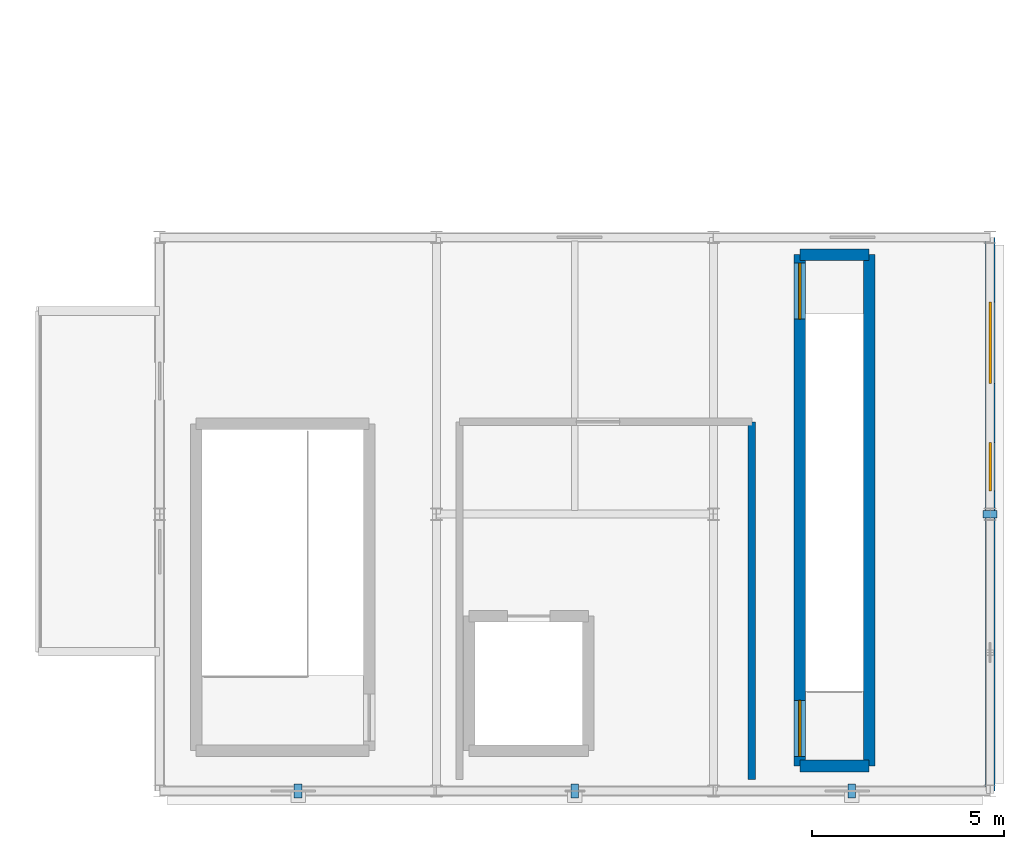
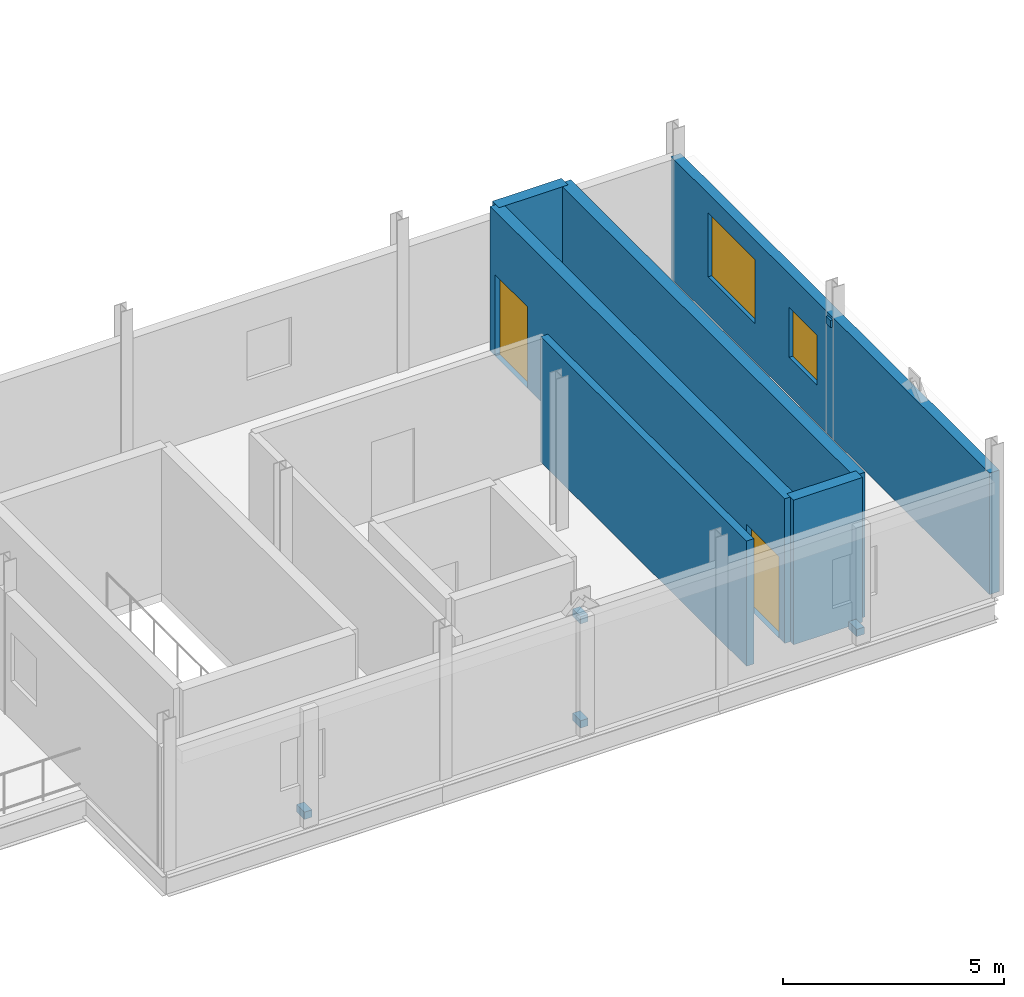
# One storey, part 25 of 28: 6 walls, 5 discrete accessories, 2 doors, 2 windows, 4 openings.
"""IFC4 building model written with IfcOpenShell, lengths in metres."""

from ifc_helpers import new_model, si_unit, direction, frame, frame_2d, origin, origin_2d, place, context, subcontext, project, spatial, rectangle, extrude, material, layer, layer_set, type_object, element, fill, save


model = new_model("IFC4")

# Units and contexts
model_context = context("Model", 3, precision=1e-05, world=origin(), true_north=direction((0.0, 1.0)))
body_context = subcontext(model_context, "Body", "Model", "MODEL_VIEW")
ifc_project = project(units=[si_unit("LENGTHUNIT", "METRE"), si_unit("AREAUNIT", "SQUARE_METRE"), si_unit("VOLUMEUNIT", "CUBIC_METRE"), si_unit("PLANEANGLEUNIT", "RADIAN"), si_unit("MASSUNIT", "GRAM", prefix="KILO")], contexts=[model_context])

# Site, building, storey
site_placement = place(None, origin())
site = spatial("IfcSite", under=ifc_project, at=site_placement, CompositionType="ELEMENT")
building_placement = place(site_placement, origin())
building = spatial("IfcBuilding", under=site, at=building_placement, Name="Yarey Park Central Fire Station", CompositionType="ELEMENT")
storey_placement = place(building_placement, frame((0.0, 0.0, 22.199951171875)))
storey = spatial("IfcBuildingStorey", under=building, at=storey_placement, Name="L06", CompositionType="ELEMENT", Elevation=22.199951171875)

# Wall, openings, windows
ifc_material_1 = material(Name="Concrete C40/50", Category="concrete")
ifc_layer_1 = layer(ifc_material_1, 0.2548828125)
ifc_layer_set_1 = layer_set([ifc_layer_1], Name="Concrete C40/50")
wall_type_1 = type_object("IfcWallType", Name="ENV_WALL_RC255", PredefinedType="STANDARD", material=ifc_layer_set_1)
wall_1_placement = place(storey_placement, frame((165.60009765625, 0.0, 0.0), z_axis=(0.0, 0.0, 1.0), x_axis=(0.0, 1.0, 0.0)))
wall_1 = element("IfcWall", 1, at=wall_1_placement, inside=storey, type_object=wall_type_1, Name="EW_L06_DT_E", PredefinedType="STANDARD", context=body_context, shape_type="SweptSolid", body=[
    extrude(rectangle(XDim=14.39990234375, YDim=0.2548828125, at=frame_2d((7.199951171875, 0.0))), origin(), (0.0, 0.0, 1.0), 3.35009765625),
])
opening_1_placement = place(wall_1_placement, frame((7.800048828125, 0.0, 1.050048828125)))
opening_1 = element("IfcOpeningElement", 2, at=opening_1_placement, cuts=wall_1, Name="Opening WN-DT126", PredefinedType="OPENING", context=body_context, shape_type="SweptSolid", body=[
    extrude(rectangle(XDim=1.260009765625, YDim=1.3798828125, at=frame_2d((0.6298828125, 0.68994140625))), frame((0.0, 0.137451171875, 0.0), z_axis=(0.0, -1.0, 0.0), x_axis=(1.0, 0.0, 0.0)), (0.0, 0.0, 1.0), 0.27490234375),
])
opening_2_placement = place(wall_1_placement, frame((10.60009765625, 0.0, 1.050048828125)))
opening_2 = element("IfcOpeningElement", 3, at=opening_2_placement, cuts=wall_1, Name="Opening WN-P212", PredefinedType="OPENING", context=body_context, shape_type="SweptSolid", body=[
    extrude(rectangle(XDim=2.1201171875, YDim=1.760009765625, at=frame_2d((1.06005859375, 0.8798828125))), frame((0.0, 0.137451171875, 0.0), z_axis=(0.0, -1.0, 0.0), x_axis=(1.0, 0.0, 0.0)), (0.0, 0.0, 1.0), 0.27490234375),
])
ifc_material_2 = material(Name="Laminated Hurricane Low-E Glass", Category="glass")
window_type_1 = type_object("IfcWindowType", Name="ENV_WIN_DT_126", PartitioningType="SINGLE_PANEL", PredefinedType="WINDOW", material=ifc_material_2)
window_1_placement = place(opening_1_placement, origin())
window_1 = element("IfcWindow", 4, at=window_1_placement, inside=storey, type_object=window_type_1, Name="WIN_L06_DTE_1", OverallHeight=1.3798828125, OverallWidth=1.260009765625, PartitioningType="SINGLE_PANEL", PredefinedType="WINDOW", context=body_context, shape_type="SweptSolid", body=[
    extrude(rectangle(XDim=1.260009765625, YDim=1.3798828125, at=frame_2d((0.6298828125, 0.68994140625))), frame((0.0, 0.030029296875, 0.0), z_axis=(0.0, -1.0, 0.0), x_axis=(1.0, 0.0, 0.0)), (0.0, 0.0, 1.0), 0.06005859375),
])
fill(opening_1, window_1)
window_type_2 = type_object("IfcWindowType", Name="ENV_WIN_PUNCH_212", PartitioningType="SINGLE_PANEL", PredefinedType="WINDOW", material=ifc_material_2)
window_2_placement = place(opening_2_placement, origin())
window_2 = element("IfcWindow", 5, at=window_2_placement, inside=storey, type_object=window_type_2, Name="WIN_L06_DTE_2", OverallHeight=1.760009765625, OverallWidth=2.1201171875, PartitioningType="SINGLE_PANEL", PredefinedType="WINDOW", context=body_context, shape_type="SweptSolid", body=[
    extrude(rectangle(XDim=2.1201171875, YDim=1.760009765625, at=frame_2d((1.06005859375, 0.8798828125))), frame((0.0, 0.030029296875, 0.0), z_axis=(0.0, -1.0, 0.0), x_axis=(1.0, 0.0, 0.0)), (0.0, 0.0, 1.0), 0.06005859375),
])
fill(opening_2, window_2)

# Walls
ifc_layer_2 = layer(ifc_material_1, 0.27001953125)
ifc_layer_set_2 = layer_set([ifc_layer_2], Name="Concrete C40/50")
wall_type_2 = type_object("IfcWallType", Name="INT_CORE_RC270", PredefinedType="SHEAR", material=ifc_layer_set_2)
for number, where, z_axis, x_axis, name in (
    (6, (160.64990234375, 0.64990234375, 0.0), (0.0, 0.0, 1.0), (1.0, 0.0, 0.0), "CWALL_C6_L06_S"),
    (7, (162.449951171875, 13.949951171875, 0.0), (0.0, 0.0, 1.0), (-1.0, 0.0, 0.0), "CWALL_C6_L06_N"),
):
    element("IfcWall", number, at=place(storey_placement, frame(where, z_axis=z_axis, x_axis=x_axis)), inside=storey, type_object=wall_type_2, Name=name, PredefinedType="SHEAR", context=body_context, shape_type="SweptSolid", body=[
        extrude(rectangle(XDim=1.800048828125, YDim=0.300048828125, at=frame_2d((0.89990234375, 0.0))), origin(), (0.0, 0.0, 1.0), 3.989990234375),
    ])

# Wall, openings, doors
wall_2_placement = place(storey_placement, frame((160.64990234375, 13.949951171875, 0.0), z_axis=(0.0, 0.0, 1.0), x_axis=(0.0, -1.0, 0.0)))
wall_2 = element("IfcWall", 8, at=wall_2_placement, inside=storey, type_object=wall_type_2, Name="CWALL_C6_L06_W", PredefinedType="SHEAR", context=body_context, shape_type="SweptSolid", body=[
    extrude(rectangle(XDim=13.300048828125, YDim=0.300048828125, at=frame_2d((6.64990234375, 0.0))), origin(), (0.0, 0.0, 1.0), 3.989990234375),
])
opening_3_placement = place(wall_2_placement, frame((11.590087890625, 0.0, 0.0)))
opening_3 = element("IfcOpeningElement", 9, at=opening_3_placement, cuts=wall_2, Name="Opening SD-146", PredefinedType="OPENING", context=body_context, shape_type="SweptSolid", body=[
    extrude(rectangle(XDim=1.4599609375, YDim=2.239990234375, at=frame_2d((0.72998046875, 1.1201171875))), frame((0.0, 0.159912109375, 0.0), z_axis=(0.0, -1.0, 0.0), x_axis=(1.0, 0.0, 0.0)), (0.0, 0.0, 1.0), 0.320068359375),
])
opening_4_placement = place(wall_2_placement, frame((0.219970703125, 0.0, 0.0)))
opening_4 = element("IfcOpeningElement", 10, at=opening_4_placement, cuts=wall_2, Name="Opening SD-146", PredefinedType="OPENING", context=body_context, shape_type="SweptSolid", body=[
    extrude(rectangle(XDim=1.4599609375, YDim=2.239990234375, at=frame_2d((0.72998046875, 1.1201171875))), frame((0.0, 0.159912109375, 0.0), z_axis=(0.0, -1.0, 0.0), x_axis=(1.0, 0.0, 0.0)), (0.0, 0.0, 1.0), 0.320068359375),
])
ifc_material_3 = material(Name="Galvanized Hollow Metal Door", Category="metal")
door_type = type_object("IfcDoorType", Name="DR_STAIR_1460", OperationType="NOTDEFINED", PredefinedType="DOOR", material=ifc_material_3)
door_1_placement = place(opening_3_placement, origin())
door_1 = element("IfcDoor", 11, at=door_1_placement, inside=storey, type_object=door_type, Name="DOOR_STAIR_C6_L06", OperationType="SINGLE_SWING_RIGHT", OverallHeight=2.239990234375, OverallWidth=1.4599609375, PredefinedType="DOOR", context=body_context, shape_type="SweptSolid", body=[
    extrude(rectangle(XDim=1.4599609375, YDim=2.239990234375, at=frame_2d((0.72998046875, 1.1201171875))), frame((0.0, 0.02490234375, 0.0), z_axis=(0.0, -1.0, 0.0), x_axis=(1.0, 0.0, 0.0)), (0.0, 0.0, 1.0), 0.050048828125),
])
fill(opening_3, door_1)
door_2_placement = place(opening_4_placement, origin())
door_2 = element("IfcDoor", 12, at=door_2_placement, inside=storey, type_object=door_type, Name="DOOR_STAIR_C6_L06_ARR", OperationType="SINGLE_SWING_LEFT", OverallHeight=2.239990234375, OverallWidth=1.4599609375, PredefinedType="DOOR", context=body_context, shape_type="SweptSolid", body=[
    extrude(rectangle(XDim=1.4599609375, YDim=2.239990234375, at=frame_2d((0.72998046875, 1.1201171875))), frame((0.0, 0.02490234375, 0.0), z_axis=(0.0, -1.0, 0.0), x_axis=(1.0, 0.0, 0.0)), (0.0, 0.0, 1.0), 0.050048828125),
])
fill(opening_4, door_2)

# Walls
wall_3_placement = place(storey_placement, frame((162.449951171875, 0.64990234375, 0.0), z_axis=(0.0, 0.0, 1.0), x_axis=(0.0, 1.0, 0.0)))
element("IfcWall", 13, at=wall_3_placement, inside=storey, type_object=wall_type_2, Name="CWALL_C6_L06_E", PredefinedType="SHEAR", context=body_context, shape_type="SweptSolid", body=[
    extrude(rectangle(XDim=13.300048828125, YDim=0.300048828125, at=frame_2d((6.64990234375, 0.0))), origin(), (0.0, 0.0, 1.0), 3.989990234375),
])
ifc_material_4 = material(Name="Concrete C35/45", Category="concrete")
ifc_layer_3 = layer(ifc_material_4, 0.18994140625)
ifc_layer_set_3 = layer_set([ifc_layer_3], Name="Concrete C35/45")
wall_type_3 = type_object("IfcWallType", Name="INT_WALL_CMU190", PredefinedType="STANDARD", material=ifc_layer_set_3)
wall_4_placement = place(storey_placement, frame((159.39990234375, 0.300048828125, 0.0), z_axis=(0.0, 0.0, 1.0), x_axis=(0.0, 1.0, 0.0)))
element("IfcWall", 14, at=wall_4_placement, inside=storey, type_object=wall_type_3, Name="PART_SPC_L06_DT_OBS_EAST", PredefinedType="STANDARD", context=body_context, shape_type="SweptSolid", body=[
    extrude(rectangle(XDim=9.300048828125, YDim=0.18994140625, at=frame_2d((4.64990234375, 0.0))), origin(), (0.0, 0.0, 1.0), 3.45703125),
])

# Discrete accessories
ifc_material_5 = material(Name="Stainless Steel AISI 316L", Category="steel")
discrete_accessory_type = type_object("IfcDiscreteAccessoryType", Name="ENV_BRK_SS1", PredefinedType="BRACKET", material=ifc_material_5)
discrete_accessory_placement = place(storey_placement, frame((165.60009765625, 7.199951171875, 3.0703125), z_axis=(0.0, 0.0, 1.0), x_axis=(1.0, 0.0, 0.0)))
element("IfcDiscreteAccessory", 15, at=discrete_accessory_placement, inside=storey, type_object=discrete_accessory_type, Name="BRK_FIN_L06_DTE_HOOD", PredefinedType="BRACKET", context=body_context, shape_type="SweptSolid", body=[
    extrude(rectangle(XDim=0.360107421875, YDim=0.199951171875, at=origin_2d()), origin(), (0.0, 0.0, 1.0), 0.199951171875),
])
for number, where, z_axis, x_axis, name in (
    (16, (154.800048828125, 0.0, 3.0703125), (0.0, 0.0, 1.0), (1.0, 0.0, 0.0), "BRK_FIN_L06_DTS_HOOD"),
    (17, (147.60009765625, 0.0, 0.2001953125), (0.0, 0.0, 1.0), (1.0, 0.0, 0.0), "BRK_FIN_L06_DTS_PIL_1"),
    (18, (154.800048828125, 0.0, 0.2001953125), (0.0, 0.0, 1.0), (1.0, 0.0, 0.0), "BRK_FIN_L06_DTS_PIL_2"),
    (19, (162.0, 0.0, 0.2001953125), (0.0, 0.0, 1.0), (1.0, 0.0, 0.0), "BRK_FIN_L06_DTS_PIL_3"),
):
    element("IfcDiscreteAccessory", number, at=place(storey_placement, frame(where, z_axis=z_axis, x_axis=x_axis)), inside=storey, type_object=discrete_accessory_type, Name=name, PredefinedType="BRACKET", context=body_context, shape_type="SweptSolid", body=[
        extrude(rectangle(XDim=0.199951171875, YDim=0.360107421875, at=origin_2d()), origin(), (0.0, 0.0, 1.0), 0.199951171875),
    ])

save(model, "model.ifc")
